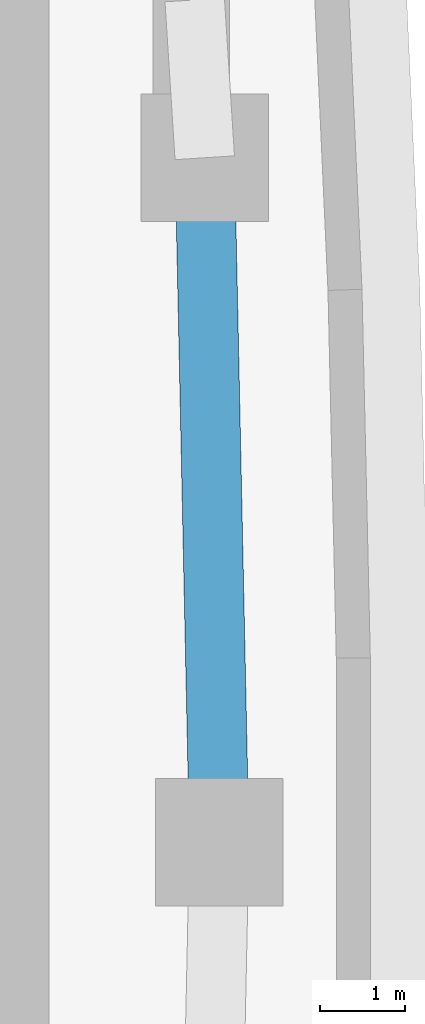
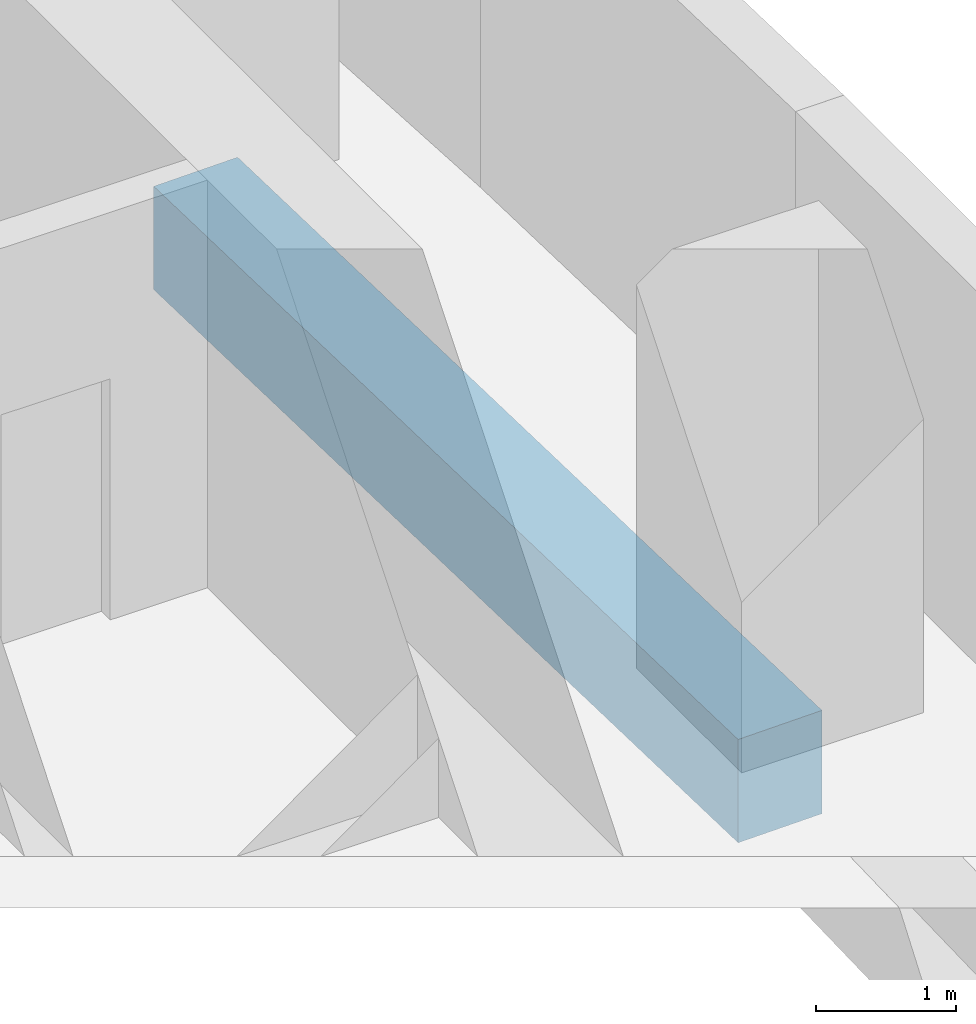
# One storey, part 4 of 17: 1 beam.
"""IFC4 building model written with IfcOpenShell, lengths in metres."""

from ifc_helpers import new_model, si_unit, direction, frame, origin, origin_2d, place, context, subcontext, project, spatial, rectangle, extrude, material, material_profile, profile_set, type_object, element, save


model = new_model("IFC4")

# Units and contexts
model_context = context("Model", 3, precision=1e-05, world=origin(), true_north=direction((0.0, 1.0)))
body_context = subcontext(model_context, "Body", "Model", "MODEL_VIEW")
ifc_project = project(units=[si_unit("LENGTHUNIT", "METRE"), si_unit("AREAUNIT", "SQUARE_METRE"), si_unit("VOLUMEUNIT", "CUBIC_METRE"), si_unit("PLANEANGLEUNIT", "RADIAN"), si_unit("MASSUNIT", "GRAM", prefix="KILO")], contexts=[model_context])

# Site, building, storey
site_placement = place(None, origin())
site = spatial("IfcSite", under=ifc_project, at=site_placement, CompositionType="ELEMENT")
building_placement = place(site_placement, origin())
building = spatial("IfcBuilding", under=site, at=building_placement, Name="Ostrand Prow Hotel Tower", CompositionType="ELEMENT")
storey_placement = place(building_placement, frame((0.0, 0.0, 144.39990234375)))
storey = spatial("IfcBuildingStorey", under=building, at=storey_placement, Name="L35", CompositionType="ELEMENT", Elevation=144.39990234375)

# Beam
ifc_material = material(Name="Concrete C70/85", Category="concrete")
ifc_material_profile = material_profile(ifc_material, rectangle(XDim=0.699951171875, YDim=0.89990234375, at=origin_2d()), Name="RC 700x900")
ifc_profile_set = profile_set([ifc_material_profile], Name="Concrete C70/85")
beam_type = type_object("IfcBeamType", Name="Edge beam 700x900 C70/85", PredefinedType="SPANDREL", material=ifc_profile_set)
beam_placement = place(storey_placement, frame((64.5, 0.0, -0.75), z_axis=(-0.021178217658, 0.999775716397, 0.0), x_axis=(-0.999775716397, -0.021178217658, 0.0)))
element("IfcBeam", 1, at=beam_placement, inside=storey, type_object=beam_type, Name="Edge beam B3-B4", PredefinedType="SPANDREL", context=body_context, shape_type="SweptSolid", body=[
    extrude(rectangle(XDim=0.699951171875, YDim=0.89990234375, at=origin_2d()), origin(), (0.0, 0.0, 1.0), 8.04638671875),
])

save(model, "model.ifc")
